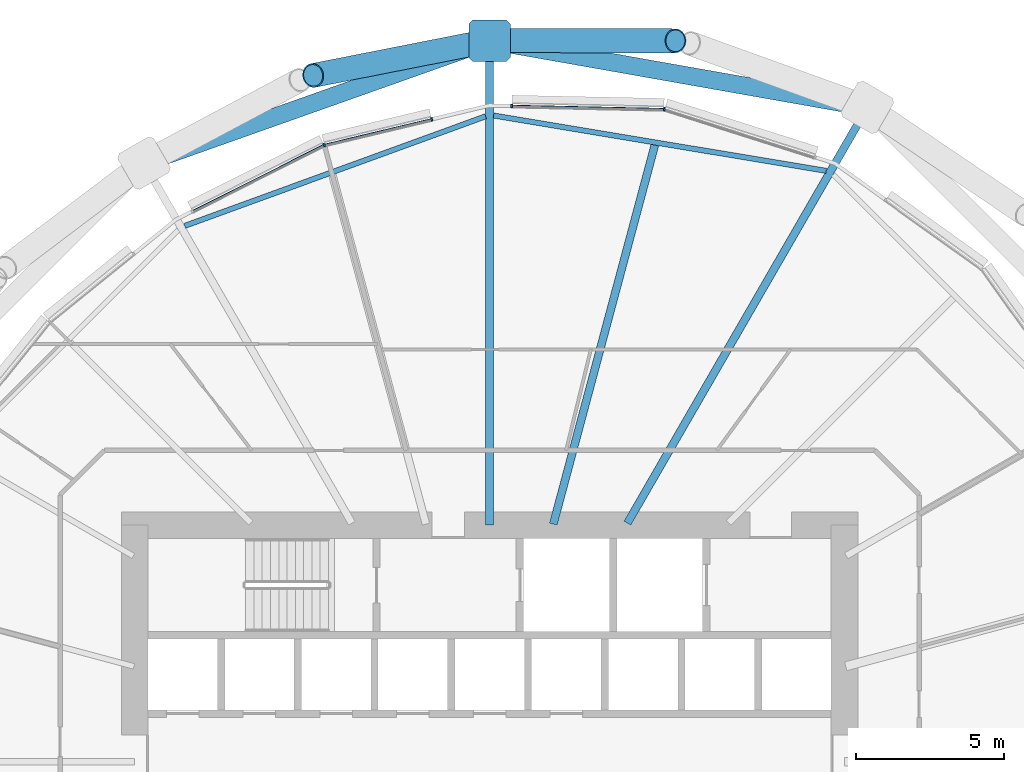
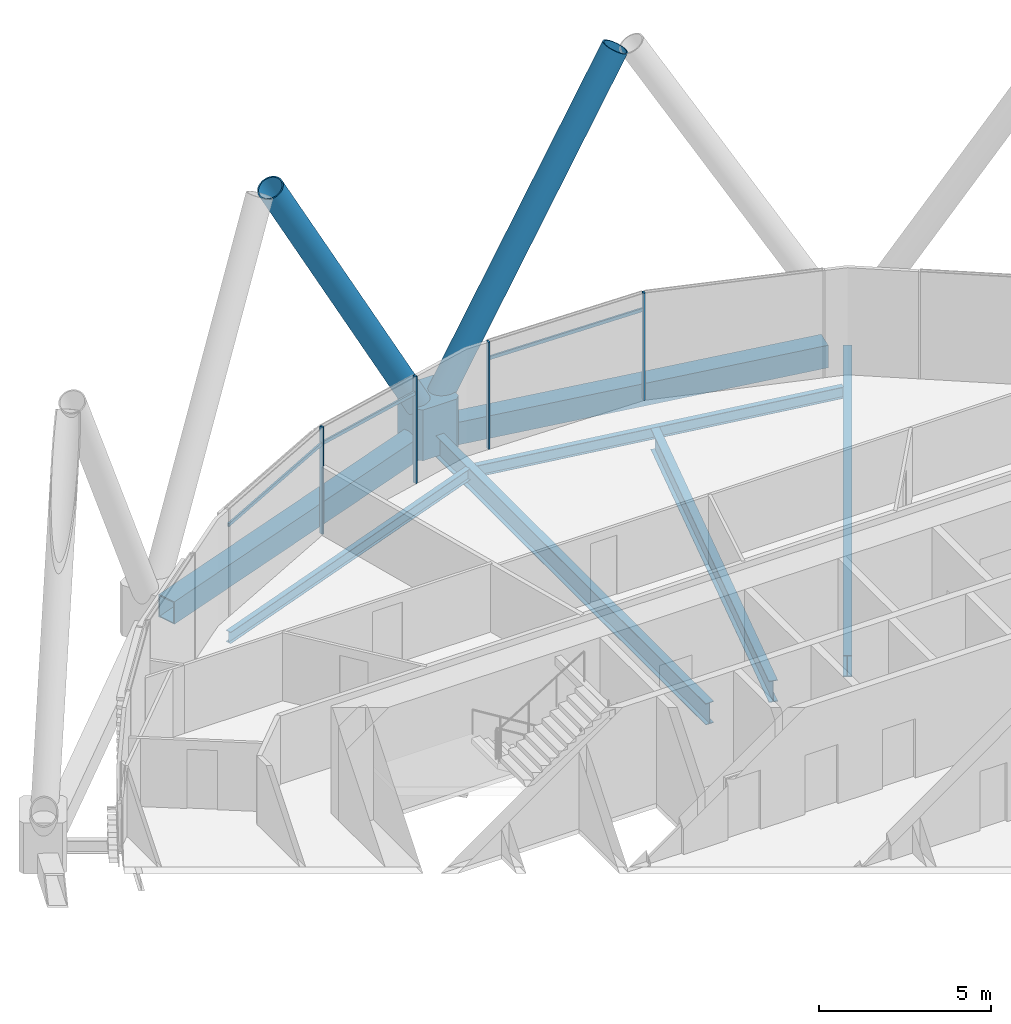
# One storey, part 17 of 36: 10 members, 7 beams, 1 element without a shape of its own.
"""IFC4 building model written with IfcOpenShell, lengths in metres."""

from ifc_helpers import new_model, si_unit, direction, frame, origin, origin_2d, place, context, subcontext, project, spatial, polyline, rectangle, hollow_rectangle, hollow_circle, i_section, outline, extrude, material, material_profile, profile_set, type_object, element, aggregate, save


model = new_model("IFC4")

# Units and contexts
model_context = context("Model", 3, precision=1e-05, world=origin(), true_north=direction((0.0, 1.0)))
body_context = subcontext(model_context, "Body", "Model", "MODEL_VIEW")
ifc_project = project(units=[si_unit("LENGTHUNIT", "METRE"), si_unit("AREAUNIT", "SQUARE_METRE"), si_unit("VOLUMEUNIT", "CUBIC_METRE"), si_unit("PLANEANGLEUNIT", "RADIAN"), si_unit("MASSUNIT", "GRAM", prefix="KILO")], contexts=[model_context])

# Site, building, storey
site_placement = place(None, origin())
site = spatial("IfcSite", under=ifc_project, at=site_placement, CompositionType="ELEMENT")
building_placement = place(site_placement, origin())
building = spatial("IfcBuilding", under=site, at=building_placement, Name="Rimbun Link Towers", CompositionType="ELEMENT")
storey_placement = place(building_placement, frame((0.0, 0.0, 64.199951171875)))
storey = spatial("IfcBuildingStorey", under=building, at=storey_placement, Name="L15", CompositionType="ELEMENT", Elevation=64.199951171875)

# Curtain wall, members
ifc_material_1 = material(Name="Aluminium 6063-T6 and low-iron glass", Category="aluminium")
curtain_wall_type = type_object("IfcCurtainWallType", Name="CW1 unitised vision wall", PredefinedType="NOTDEFINED", material=ifc_material_1)
curtain_wall_placement = place(storey_placement, origin())
curtain_wall = element("IfcCurtainWall", 1, at=curtain_wall_placement, inside=storey, type_object=curtain_wall_type, Name="CW1 L15 T2", PredefinedType="NOTDEFINED")
ifc_material_2 = material(Name="Aluminium 6063-T6", Category="aluminium")
ifc_material_profile_1 = material_profile(ifc_material_2, rectangle(XDim=0.1201171875, YDim=0.06005859375, at=origin_2d()), Name="MULLION 60X120")
ifc_profile_set_1 = profile_set([ifc_material_profile_1], Name="Aluminium 6063-T6")
member_type_1 = type_object("IfcMemberType", Name="CW1 mullion 60X120", PredefinedType="MULLION", material=ifc_profile_set_1)
member_1_placement = place(storey_placement, frame((37.656005859375, 22.06396484375, 0.0), z_axis=(0.0, 0.0, 1.0), x_axis=(0.16374422533, 0.986502827503, 0.0)))
member_1 = element("IfcMember", 2, at=member_1_placement, type_object=member_type_1, Name="CW1 mullion", PredefinedType="MULLION", context=body_context, shape_type="SweptSolid", body=[
    extrude(rectangle(XDim=0.1201171875, YDim=0.06005859375, at=origin_2d()), origin(), (0.0, 0.0, 1.0), 3.800048828125),
])
member_2_placement = place(storey_placement, frame((32.5009765625, 22.173095703125, 0.0), z_axis=(0.0, 0.0, 1.0), x_axis=(0.021059742681, 0.999778219026, 0.0)))
member_2 = element("IfcMember", 3, at=member_2_placement, type_object=member_type_1, Name="CW1 mullion", PredefinedType="MULLION", context=body_context, shape_type="SweptSolid", body=[
    extrude(rectangle(XDim=0.1201171875, YDim=0.06005859375, at=origin_2d()), origin(), (0.0, 0.0, 1.0), 3.800048828125),
])
member_3_placement = place(storey_placement, frame((26.156982421875, 20.8525390625, 0.0), z_axis=(0.0, 0.0, 1.0), x_axis=(-0.34296997, 0.939346368321, 0.0)))
member_3 = element("IfcMember", 4, at=member_3_placement, type_object=member_type_1, Name="CW1 mullion", PredefinedType="MULLION", context=body_context, shape_type="SweptSolid", body=[
    extrude(rectangle(XDim=0.1201171875, YDim=0.06005859375, at=origin_2d()), origin(), (0.0, 0.0, 1.0), 3.800048828125),
])
member_4_placement = place(storey_placement, frame((29.791015625, 21.72216796875, 0.0), z_axis=(0.0, 0.0, 1.0), x_axis=(-0.232601207201, 0.972572197016, 0.0)))
member_4 = element("IfcMember", 5, at=member_4_placement, type_object=member_type_1, Name="CW1 mullion", PredefinedType="MULLION", context=body_context, shape_type="SweptSolid", body=[
    extrude(rectangle(XDim=0.1201171875, YDim=0.06005859375, at=origin_2d()), origin(), (0.0, 0.0, 1.0), 3.800048828125),
])
ifc_material_3 = material(Name="Aluminium 6063-T6", Category="aluminium")
ifc_material_profile_2 = material_profile(ifc_material_3, rectangle(XDim=0.06005859375, YDim=0.1201171875, at=origin_2d()), Name="TRANSOM 60X120")
ifc_profile_set_2 = profile_set([ifc_material_profile_2], Name="Aluminium 6063-T6")
member_type_2 = type_object("IfcMemberType", Name="CW1 transom 60X120", PredefinedType="USERDEFINED", material=ifc_profile_set_2)
member_5_placement = place(storey_placement, frame((32.531005859375, 22.170654296875, 3.199951171875), z_axis=(0.999778073515, -0.021066649432, 0.0), x_axis=(0.021066649432, 0.999778073515, 0.0)))
member_5 = element("IfcMember", 6, at=member_5_placement, type_object=member_type_2, Name="CW1 transom", ObjectType="TRANSOM", PredefinedType="USERDEFINED", context=body_context, shape_type="SweptSolid", body=[
    extrude(rectangle(XDim=0.06005859375, YDim=0.1201171875, at=origin_2d()), origin(), (0.0, 0.0, 1.0), 5.087646484375),
])
member_6_placement = place(storey_placement, frame((26.193359375, 20.859619140625, 3.199951171875), z_axis=(0.972573002452, 0.232597839415, 0.0), x_axis=(-0.232597839415, 0.972573002452, 0.0)))
member_6 = element("IfcMember", 7, at=member_6_placement, type_object=member_type_2, Name="CW1 transom", ObjectType="TRANSOM", PredefinedType="USERDEFINED", context=body_context, shape_type="SweptSolid", body=[
    extrude(rectangle(XDim=0.06005859375, YDim=0.1201171875, at=origin_2d()), origin(), (0.0, 0.0, 1.0), 3.66943359375),
])
member_7_placement = place(storey_placement, frame((21.7265625, 18.6259765625, 3.199951171875), z_axis=(0.893642051411, 0.448780440695, 0.0), x_axis=(-0.448780440695, 0.893642051411, 0.0)))
member_7 = element("IfcMember", 8, at=member_7_placement, type_object=member_type_2, Name="CW1 transom", ObjectType="TRANSOM", PredefinedType="USERDEFINED", context=body_context, shape_type="SweptSolid", body=[
    extrude(rectangle(XDim=0.06005859375, YDim=0.1201171875, at=origin_2d()), origin(), (0.0, 0.0, 1.0), 4.921630859375),
])
aggregate(curtain_wall, [member_1, member_2, member_3, member_4, member_5, member_6, member_7])

# Members
ifc_material_4 = material(Name="Steel S460NH", Category="steel")
ifc_material_profile_3 = material_profile(ifc_material_4, hollow_circle(Radius=0.406494140625, WallThickness=0.0400390625, at=origin_2d()), Name="Diagrid diagonal CHS 813x40")
ifc_profile_set_3 = profile_set([ifc_material_profile_3], Name="Steel S460NH")
member_type_3 = type_object("IfcMemberType", Name="Diagrid diagonal CHS 813x40", PredefinedType="BRACE", material=ifc_profile_set_3)
member_8_placement = place(storey_placement, frame((31.99853515625, 24.37890625, 0.433837890625), z_axis=(0.497124128082, -0.000201126402, 0.867679411319), x_axis=(0.000404579811, 0.999999918158, 0.0)))
element("IfcMember", 9, at=member_8_placement, inside=storey, type_object=member_type_3, Name="Diagrid diagonal T2 L15-L18 03a", PredefinedType="BRACE", context=body_context, shape_type="SweptSolid", body=[
    extrude(hollow_circle(Radius=0.406494140625, WallThickness=0.0400390625, at=origin_2d()), origin(), (0.0, 0.0, 1.0), 12.138671875),
])
member_9_placement = place(storey_placement, frame((31.511962890625, 24.33203125, 0.437255859375), z_axis=(-0.475943844858, -0.093728383, 0.874466950069), x_axis=(0.193220495125, -0.981155359902, 0.0)))
element("IfcMember", 10, at=member_9_placement, inside=storey, type_object=member_type_3, Name="Diagrid diagonal T2 L15-L18 03b", PredefinedType="BRACE", context=body_context, shape_type="SweptSolid", body=[
    extrude(hollow_circle(Radius=0.406494140625, WallThickness=0.0400390625, at=origin_2d()), origin(), (0.0, 0.0, 1.0), 12.03662109375),
])
ifc_material_5 = material(Name="Cast steel G20Mn5+QT, Rp0.2 300 MPa", Category="steel")
ifc_material_profile_4 = material_profile(ifc_material_5, outline(polyline([(0.699951171875, -0.570068359375), (0.699951171875, 0.570068359375), (0.570068359375, 0.699951171875), (-0.570068359375, 0.699951171875), (-0.699951171875, 0.570068359375), (-0.699951171875, -0.570068359375), (-0.570068359375, -0.699951171875), (0.570068359375, -0.699951171875), (0.699951171875, -0.570068359375)])), Name="NODE 1400x1400")
ifc_profile_set_4 = profile_set([ifc_material_profile_4], Name="Cast steel G20Mn5+QT, Rp0.2 300 MPa")
member_type_4 = type_object("IfcMemberType", Name="Diagrid node cast 1400", PredefinedType="USERDEFINED", material=ifc_profile_set_4)
member_10_placement = place(storey_placement, frame((31.75, 24.37890625, -0.89990234375), z_axis=(0.0, 0.0, 1.0), x_axis=(0.0, 1.0, 0.0)))
element("IfcMember", 11, at=member_10_placement, inside=storey, type_object=member_type_4, Name="Diagrid node L15 03", ObjectType="Diagrid node", PredefinedType="USERDEFINED", context=body_context, shape_type="SweptSolid", body=[
    extrude(outline(polyline([(0.699951171875, -0.570068359375), (0.699951171875, 0.570068359375), (0.570068359375, 0.699951171875), (-0.570068359375, 0.699951171875), (-0.699951171875, 0.570068359375), (-0.699951171875, -0.570068359375), (-0.570068359375, -0.699951171875), (0.570068359375, -0.699951171875), (0.699951171875, -0.570068359375)])), origin(), (0.0, 0.0, 1.0), 1.800048828125),
])

# Beams
ifc_material_6 = material(Name="Steel S355J2", Category="steel")
ifc_material_profile_5 = material_profile(ifc_material_6, hollow_rectangle(XDim=0.60009765625, YDim=0.800048828125, WallThickness=0.0400390625, at=origin_2d()), Name="Exoskeleton ring girder BOX 600x800x40")
ifc_profile_set_5 = profile_set([ifc_material_profile_5], Name="Steel S355J2")
beam_type_1 = type_object("IfcBeamType", Name="Exoskeleton ring girder BOX 600x800x40", PredefinedType="BEAM", material=ifc_profile_set_5)
beam_1_placement = place(storey_placement, frame((43.833984375, 22.24560546875, -0.56005859375), z_axis=(-0.984770599089, 0.173858756379, 0.0), x_axis=(-0.173858756379, -0.984770599089, 0.0)))
element("IfcBeam", 12, at=beam_1_placement, inside=storey, type_object=beam_type_1, Name="Exoskeleton ring girder L15 00", PredefinedType="BEAM", context=body_context, shape_type="SweptSolid", body=[
    extrude(hollow_rectangle(XDim=0.60009765625, YDim=0.800048828125, WallThickness=0.0400390625, at=origin_2d()), origin(), (0.0, 0.0, 1.0), 11.571044921875),
])
beam_2_placement = place(storey_placement, frame((31.090087890625, 24.145263671875, -0.56005859375), z_axis=(-0.942614706943, -0.333882485697, 0.0), x_axis=(0.333882485697, -0.942614706943, 0.0)))
element("IfcBeam", 13, at=beam_2_placement, inside=storey, type_object=beam_type_1, Name="Exoskeleton ring girder L15 01", PredefinedType="BEAM", context=body_context, shape_type="SweptSolid", body=[
    extrude(hollow_rectangle(XDim=0.60009765625, YDim=0.800048828125, WallThickness=0.0400390625, at=origin_2d()), origin(), (0.0, 0.0, 1.0), 10.996826171875),
])
ifc_material_7 = material(Name="Steel S355J2", Category="steel")
ifc_material_profile_6 = material_profile(ifc_material_7, i_section(OverallWidth=0.177978515625, OverallDepth=0.406494140625, WebThickness=0.0078125, FlangeThickness=0.0126953125, at=origin_2d()), Name="UB 406x178x60")
ifc_profile_set_6 = profile_set([ifc_material_profile_6], Name="Steel S355J2")
beam_type_2 = type_object("IfcBeamType", Name="UB 406x178x60", PredefinedType="BEAM", material=ifc_profile_set_6)
beam_3_placement = place(storey_placement, frame((43.12890625, 19.977294921875, -0.363037109375), z_axis=(-0.986419380736, 0.164246172888, 0.0), x_axis=(-0.164246172888, -0.986419380736, 0.0)))
element("IfcBeam", 14, at=beam_3_placement, inside=storey, type_object=beam_type_2, Name="Edge beam T2 L15 01-03", PredefinedType="BEAM", context=body_context, shape_type="SweptSolid", body=[
    extrude(i_section(OverallWidth=0.177978515625, OverallDepth=0.406494140625, WebThickness=0.0078125, FlangeThickness=0.0126953125, at=origin_2d()), origin(), (0.0, 0.0, 1.0), 11.3994140625),
])
beam_4_placement = place(storey_placement, frame((31.61572265625, 21.822998046875, -0.363037109375), z_axis=(-0.939628792314, -0.342195459722, 0.0), x_axis=(0.342195459722, -0.939628792314, 0.0)))
element("IfcBeam", 15, at=beam_4_placement, inside=storey, type_object=beam_type_2, Name="Edge beam T2 L15 03-05", PredefinedType="BEAM", context=body_context, shape_type="SweptSolid", body=[
    extrude(i_section(OverallWidth=0.177978515625, OverallDepth=0.406494140625, WebThickness=0.0078125, FlangeThickness=0.0126953125, at=origin_2d()), origin(), (0.0, 0.0, 1.0), 10.83154296875),
])
ifc_material_8 = material(Name="Steel S355J2", Category="steel")
ifc_material_profile_7 = material_profile(ifc_material_8, i_section(OverallWidth=0.2666015625, OverallDepth=0.76220703125, WebThickness=0.014404296875, FlangeThickness=0.021484375, at=origin_2d()), Name="UB 762x267x173")
ifc_profile_set_7 = profile_set([ifc_material_profile_7], Name="Steel S355J2")
beam_type_3 = type_object("IfcBeamType", Name="UB 762x267x173", PredefinedType="BEAM", material=ifc_profile_set_7)
beam_5_placement = place(storey_placement, frame((36.40771484375, 8.0673828125, -0.541015625), z_axis=(0.499996511319, 0.866027417966, 0.0), x_axis=(-0.866027417966, 0.499996511319, 0.0)))
element("IfcBeam", 16, at=beam_5_placement, inside=storey, type_object=beam_type_3, Name="Radial beam T2 L15 01", PredefinedType="BEAM", context=body_context, shape_type="SweptSolid", body=[
    extrude(i_section(OverallWidth=0.2666015625, OverallDepth=0.76220703125, WebThickness=0.014404296875, FlangeThickness=0.021484375, at=origin_2d()), origin(), (0.0, 0.0, 1.0), 15.73095703125),
])
beam_6_placement = place(storey_placement, frame((33.903076171875, 8.035400390625, -0.541015625), z_axis=(0.258820400429, 0.965925463129, 0.0), x_axis=(-0.965925463129, 0.258820400429, 0.0)))
element("IfcBeam", 17, at=beam_6_placement, inside=storey, type_object=beam_type_3, Name="Radial beam T2 L15 02", PredefinedType="BEAM", context=body_context, shape_type="SweptSolid", body=[
    extrude(i_section(OverallWidth=0.2666015625, OverallDepth=0.76220703125, WebThickness=0.014404296875, FlangeThickness=0.021484375, at=origin_2d()), origin(), (0.0, 0.0, 1.0), 13.267333984375),
])
beam_7_placement = place(storey_placement, frame((31.75, 8.0009765625, -0.541015625), z_axis=(0.0, 1.0, 0.0), x_axis=(-1.0, 0.0, 0.0)))
element("IfcBeam", 18, at=beam_7_placement, inside=storey, type_object=beam_type_3, Name="Radial beam T2 L15 03", PredefinedType="BEAM", context=body_context, shape_type="SweptSolid", body=[
    extrude(i_section(OverallWidth=0.2666015625, OverallDepth=0.76220703125, WebThickness=0.014404296875, FlangeThickness=0.021484375, at=origin_2d()), origin(), (0.0, 0.0, 1.0), 15.8779296875),
])

save(model, "model.ifc")
